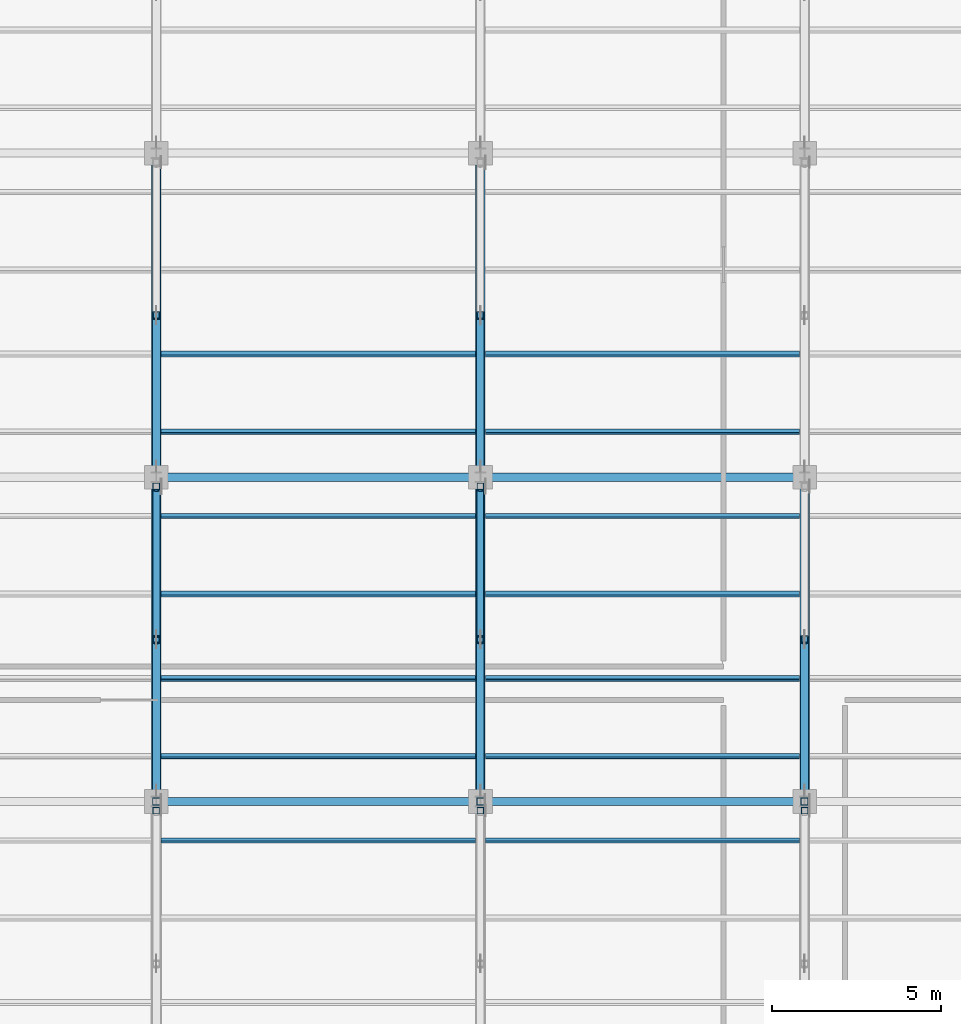
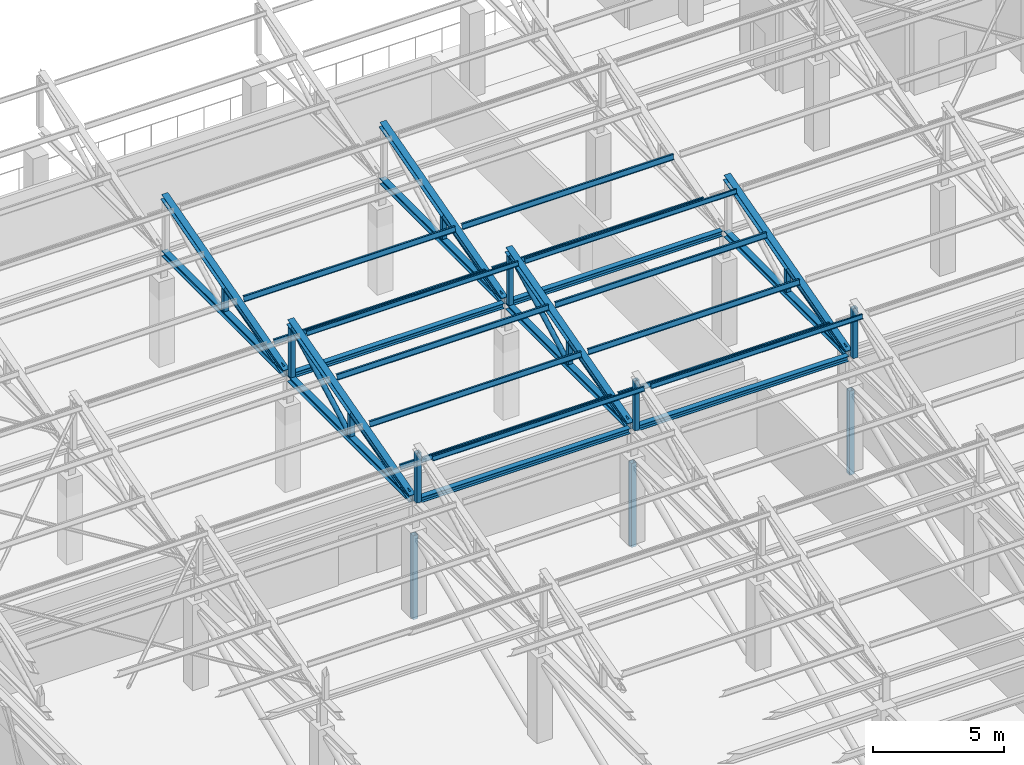
# One storey, part 21 of 71: 44 members, 4 beams.
"""IFC4 building model written with IfcOpenShell, lengths in metres."""

from ifc_helpers import new_model, si_unit, direction, frame, origin, origin_2d, place, context, subcontext, project, spatial, hollow_rectangle, hollow_circle, i_section, extrude, material, material_profile, profile_set, type_object, element, save


model = new_model("IFC4")

# Units and contexts
model_context = context("Model", 3, precision=1e-05, world=origin(), true_north=direction((0.0, 1.0)))
body_context = subcontext(model_context, "Body", "Model", "MODEL_VIEW")
ifc_project = project(units=[si_unit("LENGTHUNIT", "METRE"), si_unit("AREAUNIT", "SQUARE_METRE"), si_unit("VOLUMEUNIT", "CUBIC_METRE"), si_unit("PLANEANGLEUNIT", "RADIAN"), si_unit("MASSUNIT", "GRAM", prefix="KILO")], contexts=[model_context])

# Site, building, storey
site_placement = place(None, origin())
site = spatial("IfcSite", under=ifc_project, at=site_placement, CompositionType="ELEMENT")
building_placement = place(site_placement, origin())
building = spatial("IfcBuilding", under=site, at=building_placement, Name="Bempovik Park Faculty of Sciences", CompositionType="ELEMENT")
storey_placement = place(building_placement, frame((0.0, 0.0, 14.10009765625)))
storey = spatial("IfcBuildingStorey", under=building, at=storey_placement, Name="L03", CompositionType="ELEMENT", Elevation=14.10009765625)

# Beams
ifc_material = material(Name="Steel S355", Category="steel")
ifc_material_profile_1 = material_profile(ifc_material, i_section(OverallWidth=0.239990234375, OverallDepth=0.239990234375, WebThickness=0.010009765625, FlangeThickness=0.01708984375, at=origin_2d()), Name="HEB 240")
ifc_profile_set_1 = profile_set([ifc_material_profile_1], Name="Steel S355")
beam_type = type_object("IfcBeamType", Name="B-042 HEB 240", PredefinedType="BEAM", material=ifc_profile_set_1)
beam_1_placement = place(storey_placement, frame((79.35009765625, 39.0, 5.14990234375), z_axis=(1.0, 0.0, 0.0), x_axis=(0.0, 1.0, 0.0)))
element("IfcBeam", 1, at=beam_1_placement, inside=storey, type_object=beam_type, Name="Sawtooth Valley Tie Beam V1-B3 (79.2-88.8)", PredefinedType="BEAM", context=body_context, shape_type="SweptSolid", body=[
    extrude(i_section(OverallWidth=0.239990234375, OverallDepth=0.239990234375, WebThickness=0.010009765625, FlangeThickness=0.01708984375, at=origin_2d()), origin(), (0.0, 0.0, 1.0), 9.2998046875),
])
beam_2_placement = place(storey_placement, frame((88.949951171875, 39.0, 5.14990234375), z_axis=(1.0, 0.0, 0.0), x_axis=(0.0, 1.0, 0.0)))
element("IfcBeam", 2, at=beam_2_placement, inside=storey, type_object=beam_type, Name="Sawtooth Valley Tie Beam V1-B3 (88.8-98.4)", PredefinedType="BEAM", context=body_context, shape_type="SweptSolid", body=[
    extrude(i_section(OverallWidth=0.239990234375, OverallDepth=0.239990234375, WebThickness=0.010009765625, FlangeThickness=0.01708984375, at=origin_2d()), origin(), (0.0, 0.0, 1.0), 9.300048828125),
])
beam_3_placement = place(storey_placement, frame((79.35009765625, 48.60009765625, 5.14990234375), z_axis=(1.0, 0.0, 0.0), x_axis=(0.0, 1.0, 0.0)))
element("IfcBeam", 3, at=beam_3_placement, inside=storey, type_object=beam_type, Name="Sawtooth Valley Tie Beam V1-B4 (79.2-88.8)", PredefinedType="BEAM", context=body_context, shape_type="SweptSolid", body=[
    extrude(i_section(OverallWidth=0.239990234375, OverallDepth=0.239990234375, WebThickness=0.010009765625, FlangeThickness=0.01708984375, at=origin_2d()), origin(), (0.0, 0.0, 1.0), 9.2998046875),
])
beam_4_placement = place(storey_placement, frame((88.949951171875, 48.60009765625, 5.14990234375), z_axis=(1.0, 0.0, 0.0), x_axis=(0.0, 1.0, 0.0)))
element("IfcBeam", 4, at=beam_4_placement, inside=storey, type_object=beam_type, Name="Sawtooth Valley Tie Beam V1-B4 (88.8-98.4)", PredefinedType="BEAM", context=body_context, shape_type="SweptSolid", body=[
    extrude(i_section(OverallWidth=0.239990234375, OverallDepth=0.239990234375, WebThickness=0.010009765625, FlangeThickness=0.01708984375, at=origin_2d()), origin(), (0.0, 0.0, 1.0), 9.300048828125),
])

# Members
ifc_material_profile_2 = material_profile(ifc_material, i_section(OverallWidth=0.110107421875, OverallDepth=0.219970703125, WebThickness=0.005859375, FlangeThickness=0.00927734375, at=origin_2d()), Name="IPE 220")
ifc_profile_set_2 = profile_set([ifc_material_profile_2], Name="Steel S355")
member_type_1 = type_object("IfcMemberType", Name="M-18 IPE 220", PredefinedType="PURLIN", material=ifc_profile_set_2)
member_1_placement = place(storey_placement, frame((79.345947265625, 40.343994140625, 5.847412109375), z_axis=(1.0, 0.0, 0.0), x_axis=(0.0, 0.965925826289, -0.258819045103)))
element("IfcMember", 5, at=member_1_placement, inside=storey, type_object=member_type_1, Name="Sawtooth Roof Purlin V1-B3 (79.2-88.8) #1", PredefinedType="PURLIN", context=body_context, shape_type="SweptSolid", body=[
    extrude(i_section(OverallWidth=0.110107421875, OverallDepth=0.219970703125, WebThickness=0.005859375, FlangeThickness=0.00927734375, at=origin_2d()), origin(), (0.0, 0.0, 1.0), 9.30810546875),
])
member_2_placement = place(storey_placement, frame((88.946044921875, 40.343994140625, 5.847412109375), z_axis=(1.0, 0.0, 0.0), x_axis=(0.0, 0.965925826289, -0.258819045103)))
element("IfcMember", 6, at=member_2_placement, inside=storey, type_object=member_type_1, Name="Sawtooth Roof Purlin V1-B3 (88.8-98.4) #1", PredefinedType="PURLIN", context=body_context, shape_type="SweptSolid", body=[
    extrude(i_section(OverallWidth=0.110107421875, OverallDepth=0.219970703125, WebThickness=0.005859375, FlangeThickness=0.00927734375, at=origin_2d()), origin(), (0.0, 0.0, 1.0), 9.307861328125),
])
member_3_placement = place(storey_placement, frame((79.345947265625, 49.944091796875, 5.847412109375), z_axis=(1.0, 0.0, 0.0), x_axis=(0.0, 0.965925826289, -0.258819045103)))
element("IfcMember", 7, at=member_3_placement, inside=storey, type_object=member_type_1, Name="Sawtooth Roof Purlin V1-B4 (79.2-88.8) #1", PredefinedType="PURLIN", context=body_context, shape_type="SweptSolid", body=[
    extrude(i_section(OverallWidth=0.110107421875, OverallDepth=0.219970703125, WebThickness=0.005859375, FlangeThickness=0.00927734375, at=origin_2d()), origin(), (0.0, 0.0, 1.0), 9.30810546875),
])
member_4_placement = place(storey_placement, frame((88.946044921875, 49.944091796875, 5.847412109375), z_axis=(1.0, 0.0, 0.0), x_axis=(0.0, 0.965925826289, -0.258819045103)))
element("IfcMember", 8, at=member_4_placement, inside=storey, type_object=member_type_1, Name="Sawtooth Roof Purlin V1-B4 (88.8-98.4) #1", PredefinedType="PURLIN", context=body_context, shape_type="SweptSolid", body=[
    extrude(i_section(OverallWidth=0.110107421875, OverallDepth=0.219970703125, WebThickness=0.005859375, FlangeThickness=0.00927734375, at=origin_2d()), origin(), (0.0, 0.0, 1.0), 9.307861328125),
])
ifc_material_profile_3 = material_profile(ifc_material, hollow_circle(Radius=0.109619140625, WallThickness=0.010009765625, at=origin_2d()), Name="CHS 219.1x10")
ifc_profile_set_3 = profile_set([ifc_material_profile_3], Name="Steel S355")
member_type_2 = type_object("IfcMemberType", Name="M-22 CHS 219.1x10", PredefinedType="BRACE", material=ifc_profile_set_3)
for number, where, z_axis, x_axis, name in (
    (9, (79.199951171875, 43.905029296875, 5.285888671875), (0.0, 0.882187464719, 0.470898372361), (-1.0, 0.0, 0.0), "Sawtooth Web Diagonal 2 V1-B3 (79.2)"),
    (10, (88.800048828125, 43.905029296875, 5.285888671875), (0.0, 0.882187464719, 0.470898372361), (-1.0, 0.0, 0.0), "Sawtooth Web Diagonal 2 V1-B3 (88.8)"),
):
    element("IfcMember", number, at=place(storey_placement, frame(where, z_axis=z_axis, x_axis=x_axis)), inside=storey, type_object=member_type_2, Name=name, PredefinedType="BRACE", context=body_context, shape_type="SweptSolid", body=[
        extrude(hollow_circle(Radius=0.109619140625, WallThickness=0.010009765625, at=origin_2d()), origin(), (0.0, 0.0, 1.0), 4.902587890625),
    ])
ifc_material_profile_4 = material_profile(ifc_material, i_section(OverallWidth=0.280029296875, OverallDepth=0.280029296875, WebThickness=0.010498046875, FlangeThickness=0.01806640625, at=origin_2d()), Name="HEB 280")
ifc_profile_set_4 = profile_set([ifc_material_profile_4], Name="Steel S355")
member_type_3 = type_object("IfcMemberType", Name="M-26 HEB 280", PredefinedType="CHORD", material=ifc_profile_set_4)
for number, where, z_axis, x_axis, name in (
    (11, (79.199951171875, 39.156005859375, 5.212158203125), (0.0, 0.963725210394, 0.266896457173), (-1.0, 0.0, 0.0), "Sawtooth Top Rafter Chord V1-B3 (79.2)"),
    (12, (88.800048828125, 39.156005859375, 5.212158203125), (0.0, 0.963725210394, 0.266896457173), (-1.0, 0.0, 0.0), "Sawtooth Top Rafter Chord V1-B3 (88.8)"),
    (13, (98.39990234375, 39.156005859375, 5.212158203125), (0.0, 0.963725210394, 0.266896457173), (-1.0, 0.0, 0.0), "Sawtooth Top Rafter Chord V1-B3 (98.4)"),
):
    element("IfcMember", number, at=place(storey_placement, frame(where, z_axis=z_axis, x_axis=x_axis)), inside=storey, type_object=member_type_3, Name=name, PredefinedType="CHORD", context=body_context, shape_type="SweptSolid", body=[
        extrude(i_section(OverallWidth=0.280029296875, OverallDepth=0.280029296875, WebThickness=0.010498046875, FlangeThickness=0.01806640625, at=origin_2d()), origin(), (0.0, 0.0, 1.0), 9.6376953125),
    ])
for number, where, z_axis, x_axis, name in (
    (14, (79.199951171875, 48.756103515625, 5.212158203125), (0.0, 0.963723405845, 0.266902973056), (-1.0, 0.0, 0.0), "Sawtooth Top Rafter Chord V1-B4 (79.2)"),
    (15, (88.800048828125, 48.756103515625, 5.212158203125), (0.0, 0.963723405845, 0.266902973056), (-1.0, 0.0, 0.0), "Sawtooth Top Rafter Chord V1-B4 (88.8)"),
):
    element("IfcMember", number, at=place(storey_placement, frame(where, z_axis=z_axis, x_axis=x_axis)), inside=storey, type_object=member_type_3, Name=name, PredefinedType="CHORD", context=body_context, shape_type="SweptSolid", body=[
        extrude(i_section(OverallWidth=0.280029296875, OverallDepth=0.280029296875, WebThickness=0.010498046875, FlangeThickness=0.01806640625, at=origin_2d()), origin(), (0.0, 0.0, 1.0), 9.637451171875),
    ])
ifc_material_profile_5 = material_profile(ifc_material, hollow_rectangle(XDim=0.219970703125, YDim=0.219970703125, WallThickness=0.010009765625, at=origin_2d()), Name="SHS 220x220x10")
ifc_profile_set_5 = profile_set([ifc_material_profile_5], Name="Steel S355")
member_type_4 = type_object("IfcMemberType", Name="M-32 SHS 220x220x10", PredefinedType="POST", material=ifc_profile_set_5)
for number, where, z_axis, x_axis, name in (
    (16, (79.199951171875, 39.0, -0.294189453125), (0.0, 0.0, 1.0), (1.0, 0.0, 0.0), "Cantilever Truss 3 L03 Post 5"),
    (17, (88.800048828125, 39.0, -0.294189453125), (0.0, 0.0, 1.0), (1.0, 0.0, 0.0), "Cantilever Truss 4 L03 Post 5"),
    (18, (98.39990234375, 39.0, -0.294189453125), (0.0, 0.0, 1.0), (1.0, 0.0, 0.0), "Cantilever Truss 5 L03 Post 5"),
):
    element("IfcMember", number, at=place(storey_placement, frame(where, z_axis=z_axis, x_axis=x_axis)), inside=storey, type_object=member_type_4, Name=name, PredefinedType="POST", context=body_context, shape_type="SweptSolid", body=[
        extrude(hollow_rectangle(XDim=0.219970703125, YDim=0.219970703125, WallThickness=0.010009765625, at=origin_2d()), origin(), (0.0, 0.0, 1.0), 3.908203125),
    ])
ifc_material_profile_6 = material_profile(ifc_material, hollow_rectangle(XDim=0.199951171875, YDim=0.199951171875, WallThickness=0.010009765625, at=origin_2d()), Name="SHS 200x200x10")
ifc_profile_set_6 = profile_set([ifc_material_profile_6], Name="Steel S355")
member_type_5 = type_object("IfcMemberType", Name="M-44 SHS 200x200x10", PredefinedType="POST", material=ifc_profile_set_6)
for number, where, z_axis, x_axis, name in (
    (19, (79.199951171875, 38.72998046875, 5.285888671875), (0.0, 0.0, 1.0), (1.0, 0.0, 0.0), "Sawtooth North-Light Post V1-B2 (79.2)"),
    (20, (88.800048828125, 38.72998046875, 5.285888671875), (0.0, 0.0, 1.0), (1.0, 0.0, 0.0), "Sawtooth North-Light Post V1-B2 (88.8)"),
    (21, (98.39990234375, 38.72998046875, 5.285888671875), (0.0, 0.0, 1.0), (1.0, 0.0, 0.0), "Sawtooth North-Light Post V1-B2 (98.4)"),
    (22, (79.199951171875, 48.330078125, 5.285888671875), (0.0, 0.0, 1.0), (1.0, 0.0, 0.0), "Sawtooth North-Light Post V1-B3 (79.2)"),
):
    element("IfcMember", number, at=place(storey_placement, frame(where, z_axis=z_axis, x_axis=x_axis)), inside=storey, type_object=member_type_5, Name=name, PredefinedType="POST", context=body_context, shape_type="SweptSolid", body=[
        extrude(hollow_rectangle(XDim=0.199951171875, YDim=0.199951171875, WallThickness=0.010009765625, at=origin_2d()), origin(), (0.0, 0.0, 1.0), 2.30859375),
    ])
member_5_placement = place(storey_placement, frame((79.199951171875, 43.800048828125, 5.285888671875), z_axis=(0.0, 0.0, 1.0), x_axis=(1.0, 0.0, 0.0)))
element("IfcMember", 23, at=member_5_placement, inside=storey, type_object=member_type_5, Name="Sawtooth Mid Post V1-B3 (79.2)", PredefinedType="POST", context=body_context, shape_type="SweptSolid", body=[
    extrude(hollow_rectangle(XDim=0.199951171875, YDim=0.199951171875, WallThickness=0.010009765625, at=origin_2d()), origin(), (0.0, 0.0, 1.0), 1.052490234375),
])
member_6_placement = place(storey_placement, frame((88.800048828125, 48.330078125, 5.285888671875), z_axis=(0.0, 0.0, 1.0), x_axis=(1.0, 0.0, 0.0)))
element("IfcMember", 24, at=member_6_placement, inside=storey, type_object=member_type_5, Name="Sawtooth North-Light Post V1-B3 (88.8)", PredefinedType="POST", context=body_context, shape_type="SweptSolid", body=[
    extrude(hollow_rectangle(XDim=0.199951171875, YDim=0.199951171875, WallThickness=0.010009765625, at=origin_2d()), origin(), (0.0, 0.0, 1.0), 2.30859375),
])
for number, where, z_axis, x_axis, name in (
    (25, (88.800048828125, 43.800048828125, 5.285888671875), (0.0, 0.0, 1.0), (1.0, 0.0, 0.0), "Sawtooth Mid Post V1-B3 (88.8)"),
    (26, (98.39990234375, 43.800048828125, 5.285888671875), (0.0, 0.0, 1.0), (1.0, 0.0, 0.0), "Sawtooth Mid Post V1-B3 (98.4)"),
    (27, (79.199951171875, 53.39990234375, 5.285888671875), (0.0, 0.0, 1.0), (1.0, 0.0, 0.0), "Sawtooth Mid Post V1-B4 (79.2)"),
    (28, (88.800048828125, 53.39990234375, 5.285888671875), (0.0, 0.0, 1.0), (1.0, 0.0, 0.0), "Sawtooth Mid Post V1-B4 (88.8)"),
):
    element("IfcMember", number, at=place(storey_placement, frame(where, z_axis=z_axis, x_axis=x_axis)), inside=storey, type_object=member_type_5, Name=name, PredefinedType="POST", context=body_context, shape_type="SweptSolid", body=[
        extrude(hollow_rectangle(XDim=0.199951171875, YDim=0.199951171875, WallThickness=0.010009765625, at=origin_2d()), origin(), (0.0, 0.0, 1.0), 1.052490234375),
    ])
ifc_material_profile_7 = material_profile(ifc_material, i_section(OverallWidth=0.10009765625, OverallDepth=0.199951171875, WebThickness=0.005615234375, FlangeThickness=0.008544921875, at=origin_2d()), Name="IPE 200")
ifc_profile_set_7 = profile_set([ifc_material_profile_7], Name="Steel S355")
member_type_6 = type_object("IfcMemberType", Name="M-48 IPE 200", PredefinedType="PURLIN", material=ifc_profile_set_7)
member_7_placement = place(storey_placement, frame((79.345947265625, 37.847900390625, 7.7607421875), z_axis=(1.0, 0.0, 0.0), x_axis=(0.0, 0.965925826289, -0.258819045103)))
element("IfcMember", 29, at=member_7_placement, inside=storey, type_object=member_type_6, Name="Sawtooth Roof Purlin V1-B2 (79.2-88.8) #4", PredefinedType="PURLIN", context=body_context, shape_type="SweptSolid", body=[
    extrude(i_section(OverallWidth=0.10009765625, OverallDepth=0.199951171875, WebThickness=0.005615234375, FlangeThickness=0.008544921875, at=origin_2d()), origin(), (0.0, 0.0, 1.0), 9.30810546875),
])
member_8_placement = place(storey_placement, frame((88.946044921875, 37.847900390625, 7.7607421875), z_axis=(1.0, 0.0, 0.0), x_axis=(0.0, 0.965925826289, -0.258819045103)))
element("IfcMember", 30, at=member_8_placement, inside=storey, type_object=member_type_6, Name="Sawtooth Roof Purlin V1-B2 (88.8-98.4) #4", PredefinedType="PURLIN", context=body_context, shape_type="SweptSolid", body=[
    extrude(i_section(OverallWidth=0.10009765625, OverallDepth=0.199951171875, WebThickness=0.005615234375, FlangeThickness=0.008544921875, at=origin_2d()), origin(), (0.0, 0.0, 1.0), 9.307861328125),
])
member_9_placement = place(storey_placement, frame((79.345947265625, 47.447998046875, 7.7607421875), z_axis=(1.0, 0.0, 0.0), x_axis=(0.0, 0.965925826289, -0.258819045103)))
element("IfcMember", 31, at=member_9_placement, inside=storey, type_object=member_type_6, Name="Sawtooth Roof Purlin V1-B3 (79.2-88.8) #4", PredefinedType="PURLIN", context=body_context, shape_type="SweptSolid", body=[
    extrude(i_section(OverallWidth=0.10009765625, OverallDepth=0.199951171875, WebThickness=0.005615234375, FlangeThickness=0.008544921875, at=origin_2d()), origin(), (0.0, 0.0, 1.0), 9.30810546875),
])
member_10_placement = place(storey_placement, frame((88.946044921875, 47.447998046875, 7.7607421875), z_axis=(1.0, 0.0, 0.0), x_axis=(0.0, 0.965925826289, -0.258819045103)))
element("IfcMember", 32, at=member_10_placement, inside=storey, type_object=member_type_6, Name="Sawtooth Roof Purlin V1-B3 (88.8-98.4) #4", PredefinedType="PURLIN", context=body_context, shape_type="SweptSolid", body=[
    extrude(i_section(OverallWidth=0.10009765625, OverallDepth=0.199951171875, WebThickness=0.005615234375, FlangeThickness=0.008544921875, at=origin_2d()), origin(), (0.0, 0.0, 1.0), 9.307861328125),
])
ifc_material_profile_8 = material_profile(ifc_material, i_section(OverallWidth=0.260009765625, OverallDepth=0.260009765625, WebThickness=0.010009765625, FlangeThickness=0.017578125, at=origin_2d()), Name="HEB 260")
ifc_profile_set_8 = profile_set([ifc_material_profile_8], Name="Steel S355")
member_type_7 = type_object("IfcMemberType", Name="M-58 HEB 260", PredefinedType="CHORD", material=ifc_profile_set_8)
for number, where, z_axis, x_axis, name in (
    (33, (79.199951171875, 39.156005859375, 5.14990234375), (0.0, 1.0, 0.0), (-1.0, 0.0, 0.0), "Sawtooth Bottom Chord V1-B3 (79.2)"),
    (34, (88.800048828125, 39.156005859375, 5.14990234375), (0.0, 1.0, 0.0), (-1.0, 0.0, 0.0), "Sawtooth Bottom Chord V1-B3 (88.8)"),
    (35, (98.39990234375, 39.156005859375, 5.14990234375), (0.0, 1.0, 0.0), (-1.0, 0.0, 0.0), "Sawtooth Bottom Chord V1-B3 (98.4)"),
):
    element("IfcMember", number, at=place(storey_placement, frame(where, z_axis=z_axis, x_axis=x_axis)), inside=storey, type_object=member_type_7, Name=name, PredefinedType="CHORD", context=body_context, shape_type="SweptSolid", body=[
        extrude(i_section(OverallWidth=0.260009765625, OverallDepth=0.260009765625, WebThickness=0.010009765625, FlangeThickness=0.017578125, at=origin_2d()), origin(), (0.0, 0.0, 1.0), 9.2880859375),
    ])
for number, where, z_axis, x_axis, name in (
    (36, (79.199951171875, 48.756103515625, 5.14990234375), (0.0, 1.0, 0.0), (-1.0, 0.0, 0.0), "Sawtooth Bottom Chord V1-B4 (79.2)"),
    (37, (88.800048828125, 48.756103515625, 5.14990234375), (0.0, 1.0, 0.0), (-1.0, 0.0, 0.0), "Sawtooth Bottom Chord V1-B4 (88.8)"),
):
    element("IfcMember", number, at=place(storey_placement, frame(where, z_axis=z_axis, x_axis=x_axis)), inside=storey, type_object=member_type_7, Name=name, PredefinedType="CHORD", context=body_context, shape_type="SweptSolid", body=[
        extrude(i_section(OverallWidth=0.260009765625, OverallDepth=0.260009765625, WebThickness=0.010009765625, FlangeThickness=0.017578125, at=origin_2d()), origin(), (0.0, 0.0, 1.0), 9.287841796875),
    ])
ifc_material_profile_9 = material_profile(ifc_material, hollow_circle(Radius=0.122314453125, WallThickness=0.010009765625, at=origin_2d()), Name="CHS 244.5x10")
ifc_profile_set_9 = profile_set([ifc_material_profile_9], Name="Steel S355")
member_type_8 = type_object("IfcMemberType", Name="M-82 CHS 244.5x10", PredefinedType="BRACE", material=ifc_profile_set_9)
for number, where, z_axis, x_axis, name in (
    (38, (79.199951171875, 39.330078125, 5.285888671875), (0.0, 0.972139485331, 0.234403116576), (-1.0, 0.0, 0.0), "Sawtooth Web Diagonal 1 V1-B3 (79.2)"),
    (39, (88.800048828125, 39.330078125, 5.285888671875), (0.0, 0.972139485331, 0.234403116576), (-1.0, 0.0, 0.0), "Sawtooth Web Diagonal 1 V1-B3 (88.8)"),
    (40, (98.39990234375, 39.330078125, 5.285888671875), (0.0, 0.972139485331, 0.234403116576), (-1.0, 0.0, 0.0), "Sawtooth Web Diagonal 1 V1-B3 (98.4)"),
    (41, (79.199951171875, 48.929931640625, 5.285888671875), (0.0, 0.972139485331, 0.234403116576), (-1.0, 0.0, 0.0), "Sawtooth Web Diagonal 1 V1-B4 (79.2)"),
    (42, (88.800048828125, 48.929931640625, 5.285888671875), (0.0, 0.972139485331, 0.234403116576), (-1.0, 0.0, 0.0), "Sawtooth Web Diagonal 1 V1-B4 (88.8)"),
):
    element("IfcMember", number, at=place(storey_placement, frame(where, z_axis=z_axis, x_axis=x_axis)), inside=storey, type_object=member_type_8, Name=name, PredefinedType="BRACE", context=body_context, shape_type="SweptSolid", body=[
        extrude(hollow_circle(Radius=0.122314453125, WallThickness=0.010009765625, at=origin_2d()), origin(), (0.0, 0.0, 1.0), 4.489990234375),
    ])
ifc_material_profile_10 = material_profile(ifc_material, i_section(OverallWidth=0.1201171875, OverallDepth=0.239990234375, WebThickness=0.006103515625, FlangeThickness=0.009765625, at=origin_2d()), Name="IPE 240")
ifc_profile_set_10 = profile_set([ifc_material_profile_10], Name="Steel S355")
member_type_9 = type_object("IfcMemberType", Name="M-86 IPE 240", PredefinedType="PURLIN", material=ifc_profile_set_10)
for number, where, z_axis, x_axis, name in (
    (43, (79.345947265625, 42.64794921875, 6.45458984375), (1.0, 0.0, 0.0), (0.0, 0.965925826289, -0.258819045103), "Sawtooth Roof Purlin V1-B3 (79.2-88.8) #2"),
    (44, (79.345947265625, 45.14404296875, 7.12353515625), (1.0, 0.0, 0.0), (0.0, 0.965925826289, -0.258819045103), "Sawtooth Roof Purlin V1-B3 (79.2-88.8) #3"),
):
    element("IfcMember", number, at=place(storey_placement, frame(where, z_axis=z_axis, x_axis=x_axis)), inside=storey, type_object=member_type_9, Name=name, PredefinedType="PURLIN", context=body_context, shape_type="SweptSolid", body=[
        extrude(i_section(OverallWidth=0.1201171875, OverallDepth=0.239990234375, WebThickness=0.006103515625, FlangeThickness=0.009765625, at=origin_2d()), origin(), (0.0, 0.0, 1.0), 9.30810546875),
    ])
for number, where, z_axis, x_axis, name in (
    (45, (88.946044921875, 42.64794921875, 6.45458984375), (1.0, 0.0, 0.0), (0.0, 0.965925826289, -0.258819045103), "Sawtooth Roof Purlin V1-B3 (88.8-98.4) #2"),
    (46, (88.946044921875, 45.14404296875, 7.12353515625), (1.0, 0.0, 0.0), (0.0, 0.965925826289, -0.258819045103), "Sawtooth Roof Purlin V1-B3 (88.8-98.4) #3"),
):
    element("IfcMember", number, at=place(storey_placement, frame(where, z_axis=z_axis, x_axis=x_axis)), inside=storey, type_object=member_type_9, Name=name, PredefinedType="PURLIN", context=body_context, shape_type="SweptSolid", body=[
        extrude(i_section(OverallWidth=0.1201171875, OverallDepth=0.239990234375, WebThickness=0.006103515625, FlangeThickness=0.009765625, at=origin_2d()), origin(), (0.0, 0.0, 1.0), 9.307861328125),
    ])
member_11_placement = place(storey_placement, frame((79.345947265625, 52.248046875, 6.45458984375), z_axis=(1.0, 0.0, 0.0), x_axis=(0.0, 0.965925826289, -0.258819045103)))
element("IfcMember", 47, at=member_11_placement, inside=storey, type_object=member_type_9, Name="Sawtooth Roof Purlin V1-B4 (79.2-88.8) #2", PredefinedType="PURLIN", context=body_context, shape_type="SweptSolid", body=[
    extrude(i_section(OverallWidth=0.1201171875, OverallDepth=0.239990234375, WebThickness=0.006103515625, FlangeThickness=0.009765625, at=origin_2d()), origin(), (0.0, 0.0, 1.0), 9.30810546875),
])
member_12_placement = place(storey_placement, frame((88.946044921875, 52.248046875, 6.45458984375), z_axis=(1.0, 0.0, 0.0), x_axis=(0.0, 0.965925826289, -0.258819045103)))
element("IfcMember", 48, at=member_12_placement, inside=storey, type_object=member_type_9, Name="Sawtooth Roof Purlin V1-B4 (88.8-98.4) #2", PredefinedType="PURLIN", context=body_context, shape_type="SweptSolid", body=[
    extrude(i_section(OverallWidth=0.1201171875, OverallDepth=0.239990234375, WebThickness=0.006103515625, FlangeThickness=0.009765625, at=origin_2d()), origin(), (0.0, 0.0, 1.0), 9.307861328125),
])

save(model, "model.ifc")
